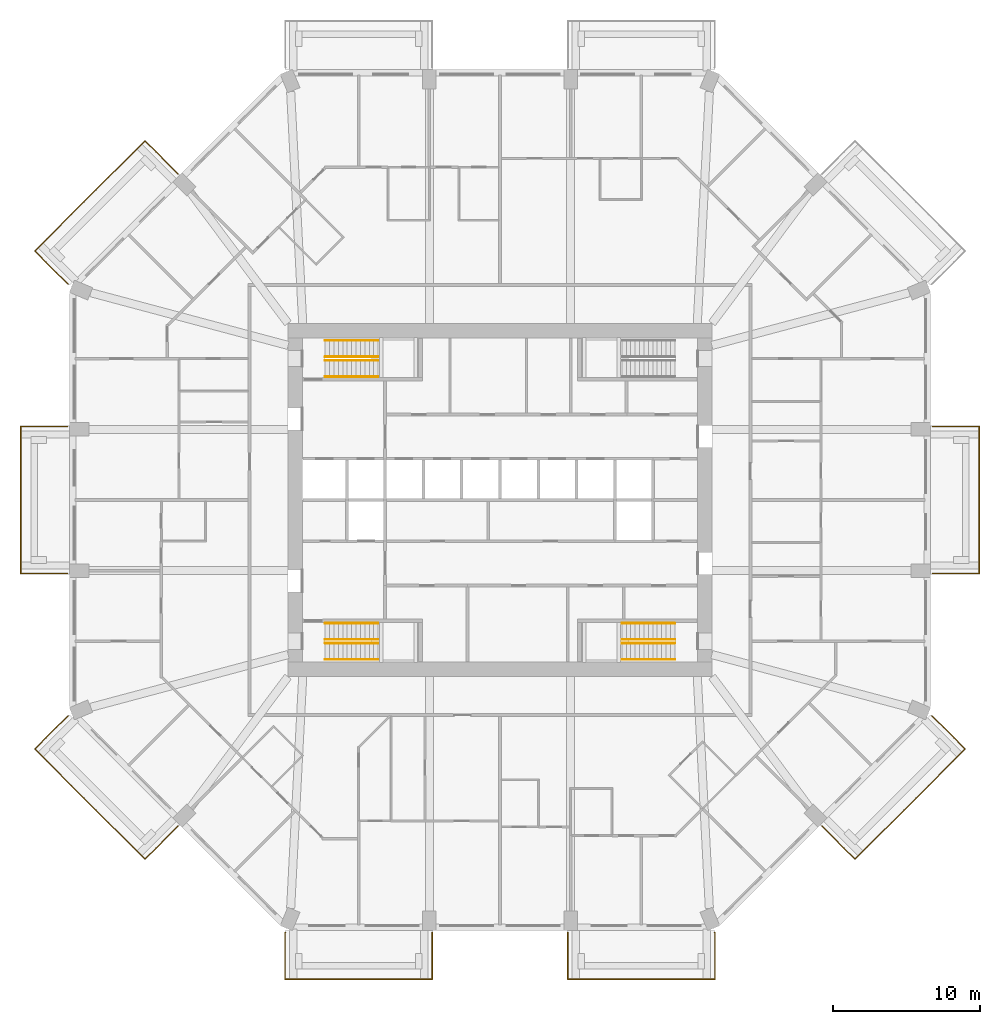
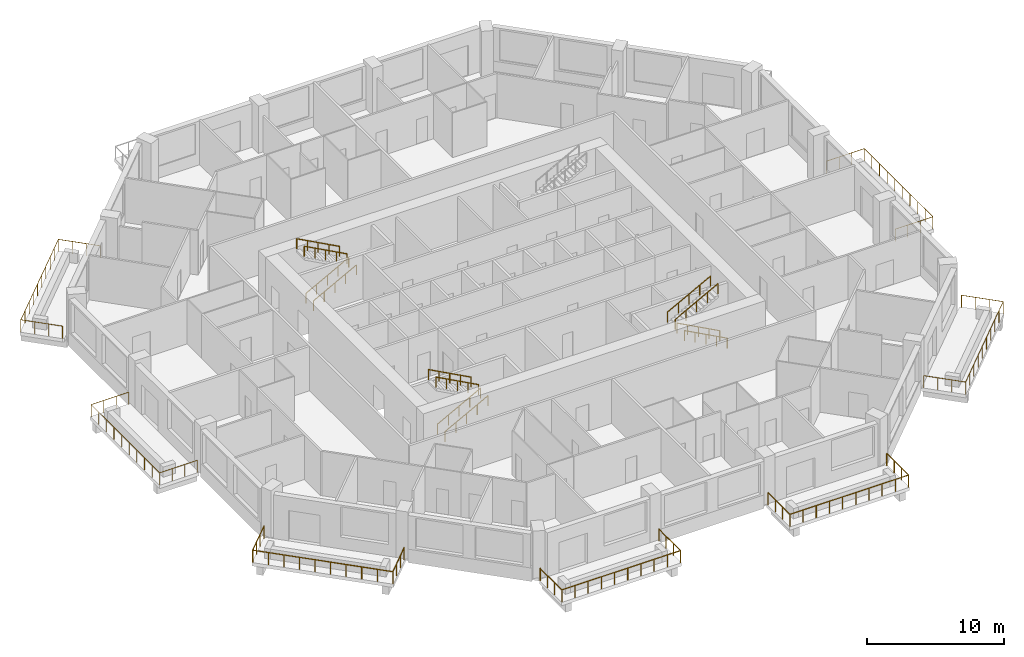
# One storey, part 12 of 13: 19 railings.
"""IFC4 building model written with IfcOpenShell, lengths in metres."""

from ifc_helpers import new_model, si_unit, direction, frame, origin, origin_2d, place, context, subcontext, project, spatial, circle, extrude, material, constituent, constituent_set, type_object, element, save


model = new_model("IFC4")

# Units and contexts
model_context = context("Model", 3, precision=1e-05, world=origin(), true_north=direction((0.0, 1.0)))
body_context = subcontext(model_context, "Body", "Model", "MODEL_VIEW")
ifc_project = project(units=[si_unit("LENGTHUNIT", "METRE"), si_unit("AREAUNIT", "SQUARE_METRE"), si_unit("VOLUMEUNIT", "CUBIC_METRE"), si_unit("PLANEANGLEUNIT", "RADIAN"), si_unit("MASSUNIT", "GRAM", prefix="KILO")], contexts=[model_context])

# Site, building, storey
site_placement = place(None, origin())
site = spatial("IfcSite", under=ifc_project, at=site_placement, CompositionType="ELEMENT")
building_placement = place(site_placement, origin())
building = spatial("IfcBuilding", under=site, at=building_placement, Name="Msitu Wima Residences", CompositionType="ELEMENT")
storey_placement = place(building_placement, frame((0.0, 0.0, 46.5)))
storey = spatial("IfcBuildingStorey", under=building, at=storey_placement, Name="L10", CompositionType="ELEMENT", Elevation=46.5)

# Railings
ifc_material_1 = material(Name="Steel S355", Category="steel")
ifc_constituent_1 = constituent(ifc_material_1, Name="Steel S355")
ifc_material_2 = material(Name="Weathering patina")
ifc_constituent_2 = constituent(ifc_material_2, Name="Weathering patina")
ifc_constituent_set_1 = constituent_set(constituents=[ifc_constituent_1, ifc_constituent_2], Name="Steel S355")
railing_type_1 = type_object("IfcRailingType", Name="Balcony guard GR1100", PredefinedType="GUARDRAIL", material=ifc_constituent_set_1)
railing_1_placement = place(storey_placement, frame((29.3798828125, 5.0, 0.0)))
element("IfcRailing", 1, at=railing_1_placement, inside=storey, type_object=railing_type_1, Name="Balcony guard E1 L10", PredefinedType="GUARDRAIL", context=body_context, shape_type="SweptSolid", body=[
    extrude(circle(Radius=0.02392578125, at=origin_2d()), frame((0.0, 0.0, 1.076171875), z_axis=(1.0, 0.0, 0.0), x_axis=(0.0, 1.0, 0.0)), (0.0, 0.0, 1.0), 3.170166015625),
    extrude(circle(Radius=0.02392578125, at=origin_2d()), frame((3.170166015625, 0.0, 1.076171875), z_axis=(0.0, -1.0, 0.0), x_axis=(1.0, 0.0, 0.0)), (0.0, 0.0, 1.0), 10.0),
    extrude(circle(Radius=0.02392578125, at=origin_2d()), frame((3.170166015625, -10.0, 1.076171875), z_axis=(-1.0, 0.0, 0.0), x_axis=(0.0, -1.0, 0.0)), (0.0, 0.0, 1.0), 3.170166015625),
    extrude(circle(Radius=0.02099609375, at=origin_2d()), origin(), (0.0, 0.0, 1.0), 1.052001953125),
    extrude(circle(Radius=0.02099609375, at=origin_2d()), frame((1.056640625, 0.0, 0.0)), (0.0, 0.0, 1.0), 1.052001953125),
    extrude(circle(Radius=0.02099609375, at=origin_2d()), frame((2.113525390625, 0.0, 0.0)), (0.0, 0.0, 1.0), 1.052001953125),
    extrude(circle(Radius=0.02099609375, at=origin_2d()), frame((3.170166015625, 0.0, 0.0)), (0.0, 0.0, 1.0), 1.052001953125),
    extrude(circle(Radius=0.02099609375, at=origin_2d()), frame((3.170166015625, -1.111083984375, 0.0)), (0.0, 0.0, 1.0), 1.052001953125),
    extrude(circle(Radius=0.02099609375, at=origin_2d()), frame((3.170166015625, -2.22216796875, 0.0)), (0.0, 0.0, 1.0), 1.052001953125),
    extrude(circle(Radius=0.02099609375, at=origin_2d()), frame((3.170166015625, -3.333251953125, 0.0)), (0.0, 0.0, 1.0), 1.052001953125),
    extrude(circle(Radius=0.02099609375, at=origin_2d()), frame((3.170166015625, -4.4443359375, 0.0)), (0.0, 0.0, 1.0), 1.052001953125),
    extrude(circle(Radius=0.02099609375, at=origin_2d()), frame((3.170166015625, -5.5556640625, 0.0)), (0.0, 0.0, 1.0), 1.052001953125),
    extrude(circle(Radius=0.02099609375, at=origin_2d()), frame((3.170166015625, -6.666748046875, 0.0)), (0.0, 0.0, 1.0), 1.052001953125),
    extrude(circle(Radius=0.02099609375, at=origin_2d()), frame((3.170166015625, -7.77783203125, 0.0)), (0.0, 0.0, 1.0), 1.052001953125),
    extrude(circle(Radius=0.02099609375, at=origin_2d()), frame((3.170166015625, -8.888916015625, 0.0)), (0.0, 0.0, 1.0), 1.052001953125),
    extrude(circle(Radius=0.02099609375, at=origin_2d()), frame((3.170166015625, -10.0, 0.0)), (0.0, 0.0, 1.0), 1.052001953125),
    extrude(circle(Radius=0.02099609375, at=origin_2d()), frame((2.113525390625, -10.0, 0.0)), (0.0, 0.0, 1.0), 1.052001953125),
    extrude(circle(Radius=0.02099609375, at=origin_2d()), frame((1.056640625, -10.0, 0.0)), (0.0, 0.0, 1.0), 1.052001953125),
    extrude(circle(Radius=0.02099609375, at=origin_2d()), frame((0.0, -10.0, 0.0)), (0.0, 0.0, 1.0), 1.052001953125),
])
railing_2_placement = place(storey_placement, frame((-29.341796875, 14.678466796875, 0.0)))
element("IfcRailing", 2, at=railing_2_placement, inside=storey, type_object=railing_type_1, Name="Balcony guard NW1 L10", PredefinedType="GUARDRAIL", context=body_context, shape_type="SweptSolid", body=[
    extrude(circle(Radius=0.02392578125, at=origin_2d()), frame((0.0, 0.0, 1.076171875), z_axis=(-0.923276184907, 0.384136806859, 0.0), x_axis=(-0.384136806859, -0.923276184907, 0.0)), (0.0, 0.0, 1.0), 0.0361328125),
    extrude(circle(Radius=0.02392578125, at=origin_2d()), frame((-0.033447265625, 0.013916015625, 1.076171875), z_axis=(-0.707106781187, 0.707106781187, 0.0), x_axis=(-0.707106781187, -0.707106781187, 0.0)), (0.0, 0.0, 1.0), 3.136474609375),
    extrude(circle(Radius=0.02392578125, at=origin_2d()), frame((-2.251220703125, 2.231689453125, 1.076171875), z_axis=(0.70709524572, 0.707118316465, 0.0), x_axis=(-0.707118316465, 0.70709524572, 0.0)), (0.0, 0.0, 1.0), 10.582275390625),
    extrude(circle(Radius=0.02392578125, at=origin_2d()), frame((5.2314453125, 9.714599609375, 1.076171875), z_axis=(0.707145287287, -0.707068272989, 0.0), x_axis=(0.707068272989, 0.707145287287, 0.0)), (0.0, 0.0, 1.0), 3.170166015625),
    extrude(circle(Radius=0.02099609375, at=origin_2d()), origin(), (0.0, 0.0, 1.0), 1.052001953125),
    extrude(circle(Radius=0.02099609375, at=origin_2d()), frame((-0.033447265625, 0.013916015625, 0.0)), (0.0, 0.0, 1.0), 1.052001953125),
    extrude(circle(Radius=0.02099609375, at=origin_2d()), frame((-0.772705078125, 0.753173828125, 0.0)), (0.0, 0.0, 1.0), 1.052001953125),
    extrude(circle(Radius=0.02099609375, at=origin_2d()), frame((-1.511962890625, 1.492431640625, 0.0)), (0.0, 0.0, 1.0), 1.052001953125),
    extrude(circle(Radius=0.02099609375, at=origin_2d()), frame((-2.251220703125, 2.231689453125, 0.0)), (0.0, 0.0, 1.0), 1.052001953125),
    extrude(circle(Radius=0.02099609375, at=origin_2d()), frame((-1.419921875, 3.063232421875, 0.0)), (0.0, 0.0, 1.0), 1.052001953125),
    extrude(circle(Radius=0.02099609375, at=origin_2d()), frame((-0.58837890625, 3.89453125, 0.0)), (0.0, 0.0, 1.0), 1.052001953125),
    extrude(circle(Radius=0.02099609375, at=origin_2d()), frame((0.242919921875, 4.72607421875, 0.0)), (0.0, 0.0, 1.0), 1.052001953125),
    extrude(circle(Radius=0.02099609375, at=origin_2d()), frame((1.074462890625, 5.557373046875, 0.0)), (0.0, 0.0, 1.0), 1.052001953125),
    extrude(circle(Radius=0.02099609375, at=origin_2d()), frame((1.90576171875, 6.388916015625, 0.0)), (0.0, 0.0, 1.0), 1.052001953125),
    extrude(circle(Radius=0.02099609375, at=origin_2d()), frame((2.7373046875, 7.22021484375, 0.0)), (0.0, 0.0, 1.0), 1.052001953125),
    extrude(circle(Radius=0.02099609375, at=origin_2d()), frame((3.568603515625, 8.0517578125, 0.0)), (0.0, 0.0, 1.0), 1.052001953125),
    extrude(circle(Radius=0.02099609375, at=origin_2d()), frame((4.400146484375, 8.883056640625, 0.0)), (0.0, 0.0, 1.0), 1.052001953125),
    extrude(circle(Radius=0.02099609375, at=origin_2d()), frame((5.2314453125, 9.714599609375, 0.0)), (0.0, 0.0, 1.0), 1.052001953125),
    extrude(circle(Radius=0.02099609375, at=origin_2d()), frame((5.978759765625, 8.967529296875, 0.0)), (0.0, 0.0, 1.0), 1.052001953125),
    extrude(circle(Radius=0.02099609375, at=origin_2d()), frame((6.725830078125, 8.22021484375, 0.0)), (0.0, 0.0, 1.0), 1.052001953125),
    extrude(circle(Radius=0.02099609375, at=origin_2d()), frame((7.47314453125, 7.47314453125, 0.0)), (0.0, 0.0, 1.0), 1.052001953125),
])
railing_3_placement = place(storey_placement, frame((-29.3798828125, -5.0, 0.0)))
element("IfcRailing", 3, at=railing_3_placement, inside=storey, type_object=railing_type_1, Name="Balcony guard W1 L10", PredefinedType="GUARDRAIL", context=body_context, shape_type="SweptSolid", body=[
    extrude(circle(Radius=0.02392578125, at=origin_2d()), frame((0.0, 0.0, 1.076171875), z_axis=(-1.0, 0.0, 0.0), x_axis=(0.0, -1.0, 0.0)), (0.0, 0.0, 1.0), 3.170166015625),
    extrude(circle(Radius=0.02392578125, at=origin_2d()), frame((-3.170166015625, 0.0, 1.076171875), z_axis=(0.0, 1.0, 0.0), x_axis=(-1.0, 0.0, 0.0)), (0.0, 0.0, 1.0), 10.0),
    extrude(circle(Radius=0.02392578125, at=origin_2d()), frame((-3.170166015625, 10.0, 1.076171875), z_axis=(1.0, 0.0, 0.0), x_axis=(0.0, 1.0, 0.0)), (0.0, 0.0, 1.0), 3.170166015625),
    extrude(circle(Radius=0.02099609375, at=origin_2d()), origin(), (0.0, 0.0, 1.0), 1.052001953125),
    extrude(circle(Radius=0.02099609375, at=origin_2d()), frame((-1.056640625, 0.0, 0.0)), (0.0, 0.0, 1.0), 1.052001953125),
    extrude(circle(Radius=0.02099609375, at=origin_2d()), frame((-2.113525390625, 0.0, 0.0)), (0.0, 0.0, 1.0), 1.052001953125),
    extrude(circle(Radius=0.02099609375, at=origin_2d()), frame((-3.170166015625, 0.0, 0.0)), (0.0, 0.0, 1.0), 1.052001953125),
    extrude(circle(Radius=0.02099609375, at=origin_2d()), frame((-3.170166015625, 1.111083984375, 0.0)), (0.0, 0.0, 1.0), 1.052001953125),
    extrude(circle(Radius=0.02099609375, at=origin_2d()), frame((-3.170166015625, 2.22216796875, 0.0)), (0.0, 0.0, 1.0), 1.052001953125),
    extrude(circle(Radius=0.02099609375, at=origin_2d()), frame((-3.170166015625, 3.333251953125, 0.0)), (0.0, 0.0, 1.0), 1.052001953125),
    extrude(circle(Radius=0.02099609375, at=origin_2d()), frame((-3.170166015625, 4.4443359375, 0.0)), (0.0, 0.0, 1.0), 1.052001953125),
    extrude(circle(Radius=0.02099609375, at=origin_2d()), frame((-3.170166015625, 5.5556640625, 0.0)), (0.0, 0.0, 1.0), 1.052001953125),
    extrude(circle(Radius=0.02099609375, at=origin_2d()), frame((-3.170166015625, 6.666748046875, 0.0)), (0.0, 0.0, 1.0), 1.052001953125),
    extrude(circle(Radius=0.02099609375, at=origin_2d()), frame((-3.170166015625, 7.77783203125, 0.0)), (0.0, 0.0, 1.0), 1.052001953125),
    extrude(circle(Radius=0.02099609375, at=origin_2d()), frame((-3.170166015625, 8.888916015625, 0.0)), (0.0, 0.0, 1.0), 1.052001953125),
    extrude(circle(Radius=0.02099609375, at=origin_2d()), frame((-3.170166015625, 10.0, 0.0)), (0.0, 0.0, 1.0), 1.052001953125),
    extrude(circle(Radius=0.02099609375, at=origin_2d()), frame((-2.113525390625, 10.0, 0.0)), (0.0, 0.0, 1.0), 1.052001953125),
    extrude(circle(Radius=0.02099609375, at=origin_2d()), frame((-1.056640625, 10.0, 0.0)), (0.0, 0.0, 1.0), 1.052001953125),
    extrude(circle(Radius=0.02099609375, at=origin_2d()), frame((0.0, 10.0, 0.0)), (0.0, 0.0, 1.0), 1.052001953125),
])
railing_4_placement = place(storey_placement, frame((-21.86865234375, -22.151611328125, 0.0)))
element("IfcRailing", 4, at=railing_4_placement, inside=storey, type_object=railing_type_1, Name="Balcony guard SW0 L10", PredefinedType="GUARDRAIL", context=body_context, shape_type="SweptSolid", body=[
    extrude(circle(Radius=0.02392578125, at=origin_2d()), frame((0.0, 0.0, 1.076171875), z_axis=(-0.707145287287, -0.707068272989, 0.0), x_axis=(0.707068272989, -0.707145287287, 0.0)), (0.0, 0.0, 1.0), 3.170166015625),
    extrude(circle(Radius=0.02392578125, at=origin_2d()), frame((-2.24169921875, -2.241455078125, 1.076171875), z_axis=(-0.70709524572, 0.707118316465, 0.0), x_axis=(-0.707118316465, -0.70709524572, 0.0)), (0.0, 0.0, 1.0), 10.582275390625),
    extrude(circle(Radius=0.02392578125, at=origin_2d()), frame((-9.724365234375, 5.241455078125, 1.076171875), z_axis=(0.707106781187, 0.707106781187, 0.0), x_axis=(-0.707106781187, 0.707106781187, 0.0)), (0.0, 0.0, 1.0), 3.136474609375),
    extrude(circle(Radius=0.02392578125, at=origin_2d()), frame((-7.506591796875, 7.459228515625, 1.076171875), z_axis=(0.923276184907, 0.384136806859, 0.0), x_axis=(-0.384136806859, 0.923276184907, 0.0)), (0.0, 0.0, 1.0), 0.0361328125),
    extrude(circle(Radius=0.02099609375, at=origin_2d()), origin(), (0.0, 0.0, 1.0), 1.052001953125),
    extrude(circle(Radius=0.02099609375, at=origin_2d()), frame((-0.747314453125, -0.7470703125, 0.0)), (0.0, 0.0, 1.0), 1.052001953125),
    extrude(circle(Radius=0.02099609375, at=origin_2d()), frame((-1.494384765625, -1.494384765625, 0.0)), (0.0, 0.0, 1.0), 1.052001953125),
    extrude(circle(Radius=0.02099609375, at=origin_2d()), frame((-2.24169921875, -2.241455078125, 0.0)), (0.0, 0.0, 1.0), 1.052001953125),
    extrude(circle(Radius=0.02099609375, at=origin_2d()), frame((-3.072998046875, -1.409912109375, 0.0)), (0.0, 0.0, 1.0), 1.052001953125),
    extrude(circle(Radius=0.02099609375, at=origin_2d()), frame((-3.904541015625, -0.57861328125, 0.0)), (0.0, 0.0, 1.0), 1.052001953125),
    extrude(circle(Radius=0.02099609375, at=origin_2d()), frame((-4.73583984375, 0.2529296875, 0.0)), (0.0, 0.0, 1.0), 1.052001953125),
    extrude(circle(Radius=0.02099609375, at=origin_2d()), frame((-5.5673828125, 1.084228515625, 0.0)), (0.0, 0.0, 1.0), 1.052001953125),
    extrude(circle(Radius=0.02099609375, at=origin_2d()), frame((-6.398681640625, 1.915771484375, 0.0)), (0.0, 0.0, 1.0), 1.052001953125),
    extrude(circle(Radius=0.02099609375, at=origin_2d()), frame((-7.230224609375, 2.7470703125, 0.0)), (0.0, 0.0, 1.0), 1.052001953125),
    extrude(circle(Radius=0.02099609375, at=origin_2d()), frame((-8.0615234375, 3.57861328125, 0.0)), (0.0, 0.0, 1.0), 1.052001953125),
    extrude(circle(Radius=0.02099609375, at=origin_2d()), frame((-8.89306640625, 4.409912109375, 0.0)), (0.0, 0.0, 1.0), 1.052001953125),
    extrude(circle(Radius=0.02099609375, at=origin_2d()), frame((-9.724365234375, 5.241455078125, 0.0)), (0.0, 0.0, 1.0), 1.052001953125),
    extrude(circle(Radius=0.02099609375, at=origin_2d()), frame((-8.985107421875, 5.980712890625, 0.0)), (0.0, 0.0, 1.0), 1.052001953125),
    extrude(circle(Radius=0.02099609375, at=origin_2d()), frame((-8.245849609375, 6.719970703125, 0.0)), (0.0, 0.0, 1.0), 1.052001953125),
    extrude(circle(Radius=0.02099609375, at=origin_2d()), frame((-7.506591796875, 7.459228515625, 0.0)), (0.0, 0.0, 1.0), 1.052001953125),
    extrude(circle(Radius=0.02099609375, at=origin_2d()), frame((-7.47314453125, 7.47314453125, 0.0)), (0.0, 0.0, 1.0), 1.052001953125),
])
railing_5_placement = place(storey_placement, frame((-4.60009765625, -29.3798828125, 0.0)))
element("IfcRailing", 5, at=railing_5_placement, inside=storey, type_object=railing_type_1, Name="Balcony guard S0 L10", PredefinedType="GUARDRAIL", context=body_context, shape_type="SweptSolid", body=[
    extrude(circle(Radius=0.02392578125, at=origin_2d()), frame((0.0, 0.0, 1.076171875), z_axis=(0.0, -1.0, 0.0), x_axis=(1.0, 0.0, 0.0)), (0.0, 0.0, 1.0), 3.170166015625),
    extrude(circle(Radius=0.02392578125, at=origin_2d()), frame((0.0, -3.170166015625, 1.076171875), z_axis=(-1.0, 0.0, 0.0), x_axis=(0.0, -1.0, 0.0)), (0.0, 0.0, 1.0), 10.0),
    extrude(circle(Radius=0.02392578125, at=origin_2d()), frame((-10.0, -3.170166015625, 1.076171875), z_axis=(0.0, 1.0, 0.0), x_axis=(-1.0, 0.0, 0.0)), (0.0, 0.0, 1.0), 3.136474609375),
    extrude(circle(Radius=0.02392578125, at=origin_2d()), frame((-10.0, -0.03369140625, 1.076171875), z_axis=(0.38176015442, 0.92426142649, 0.0), x_axis=(-0.92426142649, 0.38176015442, 0.0)), (0.0, 0.0, 1.0), 0.036376953125),
    extrude(circle(Radius=0.02099609375, at=origin_2d()), origin(), (0.0, 0.0, 1.0), 1.052001953125),
    extrude(circle(Radius=0.02099609375, at=origin_2d()), frame((0.0, -1.056640625, 0.0)), (0.0, 0.0, 1.0), 1.052001953125),
    extrude(circle(Radius=0.02099609375, at=origin_2d()), frame((0.0, -2.113525390625, 0.0)), (0.0, 0.0, 1.0), 1.052001953125),
    extrude(circle(Radius=0.02099609375, at=origin_2d()), frame((0.0, -3.170166015625, 0.0)), (0.0, 0.0, 1.0), 1.052001953125),
    extrude(circle(Radius=0.02099609375, at=origin_2d()), frame((-1.111083984375, -3.170166015625, 0.0)), (0.0, 0.0, 1.0), 1.052001953125),
    extrude(circle(Radius=0.02099609375, at=origin_2d()), frame((-2.22216796875, -3.170166015625, 0.0)), (0.0, 0.0, 1.0), 1.052001953125),
    extrude(circle(Radius=0.02099609375, at=origin_2d()), frame((-3.333251953125, -3.170166015625, 0.0)), (0.0, 0.0, 1.0), 1.052001953125),
    extrude(circle(Radius=0.02099609375, at=origin_2d()), frame((-4.4443359375, -3.170166015625, 0.0)), (0.0, 0.0, 1.0), 1.052001953125),
    extrude(circle(Radius=0.02099609375, at=origin_2d()), frame((-5.5556640625, -3.170166015625, 0.0)), (0.0, 0.0, 1.0), 1.052001953125),
    extrude(circle(Radius=0.02099609375, at=origin_2d()), frame((-6.666748046875, -3.170166015625, 0.0)), (0.0, 0.0, 1.0), 1.052001953125),
    extrude(circle(Radius=0.02099609375, at=origin_2d()), frame((-7.77783203125, -3.170166015625, 0.0)), (0.0, 0.0, 1.0), 1.052001953125),
    extrude(circle(Radius=0.02099609375, at=origin_2d()), frame((-8.888916015625, -3.170166015625, 0.0)), (0.0, 0.0, 1.0), 1.052001953125),
    extrude(circle(Radius=0.02099609375, at=origin_2d()), frame((-10.0, -3.170166015625, 0.0)), (0.0, 0.0, 1.0), 1.052001953125),
    extrude(circle(Radius=0.02099609375, at=origin_2d()), frame((-10.0, -2.124755859375, 0.0)), (0.0, 0.0, 1.0), 1.052001953125),
    extrude(circle(Radius=0.02099609375, at=origin_2d()), frame((-10.0, -1.0791015625, 0.0)), (0.0, 0.0, 1.0), 1.052001953125),
    extrude(circle(Radius=0.02099609375, at=origin_2d()), frame((-10.0, -0.03369140625, 0.0)), (0.0, 0.0, 1.0), 1.052001953125),
    extrude(circle(Radius=0.02099609375, at=origin_2d()), frame((-9.986083984375, 0.0, 0.0)), (0.0, 0.0, 1.0), 1.052001953125),
])
railing_6_placement = place(storey_placement, frame((14.586181640625, -29.3798828125, 0.0)))
element("IfcRailing", 6, at=railing_6_placement, inside=storey, type_object=railing_type_1, Name="Balcony guard S2 L10", PredefinedType="GUARDRAIL", context=body_context, shape_type="SweptSolid", body=[
    extrude(circle(Radius=0.02392578125, at=origin_2d()), frame((0.0, 0.0, 1.076171875), z_axis=(0.38176015442, -0.92426142649, 0.0), x_axis=(0.92426142649, 0.38176015442, 0.0)), (0.0, 0.0, 1.0), 0.036376953125),
    extrude(circle(Radius=0.02392578125, at=origin_2d()), frame((0.013916015625, -0.03369140625, 1.076171875), z_axis=(0.0, -1.0, 0.0), x_axis=(1.0, 0.0, 0.0)), (0.0, 0.0, 1.0), 3.136474609375),
    extrude(circle(Radius=0.02392578125, at=origin_2d()), frame((0.013916015625, -3.170166015625, 1.076171875), z_axis=(-1.0, 0.0, 0.0), x_axis=(0.0, -1.0, 0.0)), (0.0, 0.0, 1.0), 10.0),
    extrude(circle(Radius=0.02392578125, at=origin_2d()), frame((-9.986083984375, -3.170166015625, 1.076171875), z_axis=(0.0, 1.0, 0.0), x_axis=(-1.0, 0.0, 0.0)), (0.0, 0.0, 1.0), 3.170166015625),
    extrude(circle(Radius=0.02099609375, at=origin_2d()), origin(), (0.0, 0.0, 1.0), 1.052001953125),
    extrude(circle(Radius=0.02099609375, at=origin_2d()), frame((0.013916015625, -0.03369140625, 0.0)), (0.0, 0.0, 1.0), 1.052001953125),
    extrude(circle(Radius=0.02099609375, at=origin_2d()), frame((0.013916015625, -1.0791015625, 0.0)), (0.0, 0.0, 1.0), 1.052001953125),
    extrude(circle(Radius=0.02099609375, at=origin_2d()), frame((0.013916015625, -2.124755859375, 0.0)), (0.0, 0.0, 1.0), 1.052001953125),
    extrude(circle(Radius=0.02099609375, at=origin_2d()), frame((0.013916015625, -3.170166015625, 0.0)), (0.0, 0.0, 1.0), 1.052001953125),
    extrude(circle(Radius=0.02099609375, at=origin_2d()), frame((-1.09716796875, -3.170166015625, 0.0)), (0.0, 0.0, 1.0), 1.052001953125),
    extrude(circle(Radius=0.02099609375, at=origin_2d()), frame((-2.208251953125, -3.170166015625, 0.0)), (0.0, 0.0, 1.0), 1.052001953125),
    extrude(circle(Radius=0.02099609375, at=origin_2d()), frame((-3.3193359375, -3.170166015625, 0.0)), (0.0, 0.0, 1.0), 1.052001953125),
    extrude(circle(Radius=0.02099609375, at=origin_2d()), frame((-4.430419921875, -3.170166015625, 0.0)), (0.0, 0.0, 1.0), 1.052001953125),
    extrude(circle(Radius=0.02099609375, at=origin_2d()), frame((-5.541748046875, -3.170166015625, 0.0)), (0.0, 0.0, 1.0), 1.052001953125),
    extrude(circle(Radius=0.02099609375, at=origin_2d()), frame((-6.65283203125, -3.170166015625, 0.0)), (0.0, 0.0, 1.0), 1.052001953125),
    extrude(circle(Radius=0.02099609375, at=origin_2d()), frame((-7.763916015625, -3.170166015625, 0.0)), (0.0, 0.0, 1.0), 1.052001953125),
    extrude(circle(Radius=0.02099609375, at=origin_2d()), frame((-8.875, -3.170166015625, 0.0)), (0.0, 0.0, 1.0), 1.052001953125),
    extrude(circle(Radius=0.02099609375, at=origin_2d()), frame((-9.986083984375, -3.170166015625, 0.0)), (0.0, 0.0, 1.0), 1.052001953125),
    extrude(circle(Radius=0.02099609375, at=origin_2d()), frame((-9.986083984375, -2.113525390625, 0.0)), (0.0, 0.0, 1.0), 1.052001953125),
    extrude(circle(Radius=0.02099609375, at=origin_2d()), frame((-9.986083984375, -1.056640625, 0.0)), (0.0, 0.0, 1.0), 1.052001953125),
    extrude(circle(Radius=0.02099609375, at=origin_2d()), frame((-9.986083984375, 0.0, 0.0)), (0.0, 0.0, 1.0), 1.052001953125),
])
railing_7_placement = place(storey_placement, frame((29.341796875, -14.678466796875, 0.0)))
element("IfcRailing", 7, at=railing_7_placement, inside=storey, type_object=railing_type_1, Name="Balcony guard SE1 L10", PredefinedType="GUARDRAIL", context=body_context, shape_type="SweptSolid", body=[
    extrude(circle(Radius=0.02392578125, at=origin_2d()), frame((0.0, 0.0, 1.076171875), z_axis=(0.923276184907, -0.384136806859, 0.0), x_axis=(0.384136806859, 0.923276184907, 0.0)), (0.0, 0.0, 1.0), 0.0361328125),
    extrude(circle(Radius=0.02392578125, at=origin_2d()), frame((0.033447265625, -0.013916015625, 1.076171875), z_axis=(0.707106781187, -0.707106781187, 0.0), x_axis=(0.707106781187, 0.707106781187, 0.0)), (0.0, 0.0, 1.0), 3.136474609375),
    extrude(circle(Radius=0.02392578125, at=origin_2d()), frame((2.251220703125, -2.231689453125, 1.076171875), z_axis=(-0.70709524572, -0.707118316465, 0.0), x_axis=(0.707118316465, -0.70709524572, 0.0)), (0.0, 0.0, 1.0), 10.582275390625),
    extrude(circle(Radius=0.02392578125, at=origin_2d()), frame((-5.2314453125, -9.714599609375, 1.076171875), z_axis=(-0.707145287287, 0.707068272989, 0.0), x_axis=(-0.707068272989, -0.707145287287, 0.0)), (0.0, 0.0, 1.0), 3.170166015625),
    extrude(circle(Radius=0.02099609375, at=origin_2d()), origin(), (0.0, 0.0, 1.0), 1.052001953125),
    extrude(circle(Radius=0.02099609375, at=origin_2d()), frame((0.033447265625, -0.013916015625, 0.0)), (0.0, 0.0, 1.0), 1.052001953125),
    extrude(circle(Radius=0.02099609375, at=origin_2d()), frame((0.772705078125, -0.753173828125, 0.0)), (0.0, 0.0, 1.0), 1.052001953125),
    extrude(circle(Radius=0.02099609375, at=origin_2d()), frame((1.511962890625, -1.492431640625, 0.0)), (0.0, 0.0, 1.0), 1.052001953125),
    extrude(circle(Radius=0.02099609375, at=origin_2d()), frame((2.251220703125, -2.231689453125, 0.0)), (0.0, 0.0, 1.0), 1.052001953125),
    extrude(circle(Radius=0.02099609375, at=origin_2d()), frame((1.419921875, -3.063232421875, 0.0)), (0.0, 0.0, 1.0), 1.052001953125),
    extrude(circle(Radius=0.02099609375, at=origin_2d()), frame((0.58837890625, -3.89453125, 0.0)), (0.0, 0.0, 1.0), 1.052001953125),
    extrude(circle(Radius=0.02099609375, at=origin_2d()), frame((-0.242919921875, -4.72607421875, 0.0)), (0.0, 0.0, 1.0), 1.052001953125),
    extrude(circle(Radius=0.02099609375, at=origin_2d()), frame((-1.074462890625, -5.557373046875, 0.0)), (0.0, 0.0, 1.0), 1.052001953125),
    extrude(circle(Radius=0.02099609375, at=origin_2d()), frame((-1.90576171875, -6.388916015625, 0.0)), (0.0, 0.0, 1.0), 1.052001953125),
    extrude(circle(Radius=0.02099609375, at=origin_2d()), frame((-2.7373046875, -7.22021484375, 0.0)), (0.0, 0.0, 1.0), 1.052001953125),
    extrude(circle(Radius=0.02099609375, at=origin_2d()), frame((-3.568603515625, -8.0517578125, 0.0)), (0.0, 0.0, 1.0), 1.052001953125),
    extrude(circle(Radius=0.02099609375, at=origin_2d()), frame((-4.400146484375, -8.883056640625, 0.0)), (0.0, 0.0, 1.0), 1.052001953125),
    extrude(circle(Radius=0.02099609375, at=origin_2d()), frame((-5.2314453125, -9.714599609375, 0.0)), (0.0, 0.0, 1.0), 1.052001953125),
    extrude(circle(Radius=0.02099609375, at=origin_2d()), frame((-5.978759765625, -8.967529296875, 0.0)), (0.0, 0.0, 1.0), 1.052001953125),
    extrude(circle(Radius=0.02099609375, at=origin_2d()), frame((-6.725830078125, -8.22021484375, 0.0)), (0.0, 0.0, 1.0), 1.052001953125),
    extrude(circle(Radius=0.02099609375, at=origin_2d()), frame((-7.47314453125, -7.47314453125, 0.0)), (0.0, 0.0, 1.0), 1.052001953125),
])
ifc_constituent_3 = constituent(ifc_material_1, Name="Steel S355")
ifc_material_3 = material(Name="Black powder coating")
ifc_constituent_4 = constituent(ifc_material_3, Name="Black powder coating")
ifc_constituent_set_2 = constituent_set(constituents=[ifc_constituent_3, ifc_constituent_4], Name="Steel S355")
railing_type_2 = type_object("IfcRailingType", Name="Stair handrail HR1", PredefinedType="HANDRAIL", material=ifc_constituent_set_2)
for number, where, name in (
    (8, (-11.875, 8.375, 0.16162109375), "Stair 1 handrail"),
    (9, (-11.875, 9.47509765625, 0.16162109375), "Stair 1 handrail"),
):
    element("IfcRailing", number, at=place(storey_placement, frame(where)), inside=storey, type_object=railing_type_2, Name=name, PredefinedType="HANDRAIL", context=body_context, shape_type="SweptSolid", body=[
        extrude(circle(Radius=0.02392578125, at=origin_2d()), frame((0.0, 0.0, 0.8759765625), z_axis=(0.880474934443, 0.0, 0.474092701714), x_axis=(0.0, 1.0, 0.0)), (0.0, 0.0, 1.0), 4.0888671875),
        extrude(circle(Radius=0.02099609375, at=origin_2d()), origin(), (0.0, 0.0, 1.0), 0.851806640625),
        extrude(circle(Radius=0.02099609375, at=origin_2d()), frame((0.89990234375, 0.0, 0.484619140625)), (0.0, 0.0, 1.0), 0.851806640625),
        extrude(circle(Radius=0.02099609375, at=origin_2d()), frame((1.800048828125, 0.0, 0.96923828125)), (0.0, 0.0, 1.0), 0.851806640625),
        extrude(circle(Radius=0.02099609375, at=origin_2d()), frame((2.7001953125, 0.0, 1.453857421875)), (0.0, 0.0, 1.0), 0.851806640625),
        extrude(circle(Radius=0.02099609375, at=origin_2d()), frame((3.60009765625, 0.0, 1.9384765625)), (0.0, 0.0, 1.0), 0.851806640625),
    ])
for number, where, name in (
    (10, (-8.27490234375, 9.72509765625, 2.261474609375), "Stair 1 handrail"),
    (11, (-8.27490234375, 10.824951171875, 2.261474609375), "Stair 1 handrail"),
):
    element("IfcRailing", number, at=place(storey_placement, frame(where)), inside=storey, type_object=railing_type_2, Name=name, PredefinedType="HANDRAIL", context=body_context, shape_type="SweptSolid", body=[
        extrude(circle(Radius=0.02392578125, at=origin_2d()), frame((0.0, 0.0, 0.8759765625), z_axis=(-0.880474934443, 0.0, 0.474092701714), x_axis=(0.0, -1.0, 0.0)), (0.0, 0.0, 1.0), 4.0888671875),
        extrude(circle(Radius=0.02099609375, at=origin_2d()), origin(), (0.0, 0.0, 1.0), 0.851806640625),
        extrude(circle(Radius=0.02099609375, at=origin_2d()), frame((-0.89990234375, 0.0, 0.484619140625)), (0.0, 0.0, 1.0), 0.851806640625),
        extrude(circle(Radius=0.02099609375, at=origin_2d()), frame((-1.800048828125, 0.0, 0.96923828125)), (0.0, 0.0, 1.0), 0.851806640625),
        extrude(circle(Radius=0.02099609375, at=origin_2d()), frame((-2.7001953125, 0.0, 1.453857421875)), (0.0, 0.0, 1.0), 0.851806640625),
        extrude(circle(Radius=0.02099609375, at=origin_2d()), frame((-3.60009765625, 0.0, 1.9384765625)), (0.0, 0.0, 1.0), 0.851806640625),
    ])
for number, where, name in (
    (12, (-11.875, -10.824951171875, 0.16162109375), "Stair 2 handrail"),
    (13, (-11.875, -9.72509765625, 0.16162109375), "Stair 2 handrail"),
):
    element("IfcRailing", number, at=place(storey_placement, frame(where)), inside=storey, type_object=railing_type_2, Name=name, PredefinedType="HANDRAIL", context=body_context, shape_type="SweptSolid", body=[
        extrude(circle(Radius=0.02392578125, at=origin_2d()), frame((0.0, 0.0, 0.8759765625), z_axis=(0.880474934443, 0.0, 0.474092701714), x_axis=(0.0, 1.0, 0.0)), (0.0, 0.0, 1.0), 4.0888671875),
        extrude(circle(Radius=0.02099609375, at=origin_2d()), origin(), (0.0, 0.0, 1.0), 0.851806640625),
        extrude(circle(Radius=0.02099609375, at=origin_2d()), frame((0.89990234375, 0.0, 0.484619140625)), (0.0, 0.0, 1.0), 0.851806640625),
        extrude(circle(Radius=0.02099609375, at=origin_2d()), frame((1.800048828125, 0.0, 0.96923828125)), (0.0, 0.0, 1.0), 0.851806640625),
        extrude(circle(Radius=0.02099609375, at=origin_2d()), frame((2.7001953125, 0.0, 1.453857421875)), (0.0, 0.0, 1.0), 0.851806640625),
        extrude(circle(Radius=0.02099609375, at=origin_2d()), frame((3.60009765625, 0.0, 1.9384765625)), (0.0, 0.0, 1.0), 0.851806640625),
    ])
for number, where, name in (
    (14, (-8.27490234375, -9.47509765625, 2.261474609375), "Stair 2 handrail"),
    (15, (-8.27490234375, -8.375, 2.261474609375), "Stair 2 handrail"),
    (16, (11.875, -10.824951171875, 0.16162109375), "Stair 4 handrail"),
    (17, (11.875, -9.72509765625, 0.16162109375), "Stair 4 handrail"),
):
    element("IfcRailing", number, at=place(storey_placement, frame(where)), inside=storey, type_object=railing_type_2, Name=name, PredefinedType="HANDRAIL", context=body_context, shape_type="SweptSolid", body=[
        extrude(circle(Radius=0.02392578125, at=origin_2d()), frame((0.0, 0.0, 0.8759765625), z_axis=(-0.880474934443, 0.0, 0.474092701714), x_axis=(0.0, -1.0, 0.0)), (0.0, 0.0, 1.0), 4.0888671875),
        extrude(circle(Radius=0.02099609375, at=origin_2d()), origin(), (0.0, 0.0, 1.0), 0.851806640625),
        extrude(circle(Radius=0.02099609375, at=origin_2d()), frame((-0.89990234375, 0.0, 0.484619140625)), (0.0, 0.0, 1.0), 0.851806640625),
        extrude(circle(Radius=0.02099609375, at=origin_2d()), frame((-1.800048828125, 0.0, 0.96923828125)), (0.0, 0.0, 1.0), 0.851806640625),
        extrude(circle(Radius=0.02099609375, at=origin_2d()), frame((-2.7001953125, 0.0, 1.453857421875)), (0.0, 0.0, 1.0), 0.851806640625),
        extrude(circle(Radius=0.02099609375, at=origin_2d()), frame((-3.60009765625, 0.0, 1.9384765625)), (0.0, 0.0, 1.0), 0.851806640625),
    ])
for number, where, name in (
    (18, (8.27490234375, -9.47509765625, 2.261474609375), "Stair 4 handrail"),
    (19, (8.27490234375, -8.375, 2.261474609375), "Stair 4 handrail"),
):
    element("IfcRailing", number, at=place(storey_placement, frame(where)), inside=storey, type_object=railing_type_2, Name=name, PredefinedType="HANDRAIL", context=body_context, shape_type="SweptSolid", body=[
        extrude(circle(Radius=0.02392578125, at=origin_2d()), frame((0.0, 0.0, 0.8759765625), z_axis=(0.880474934443, 0.0, 0.474092701714), x_axis=(0.0, 1.0, 0.0)), (0.0, 0.0, 1.0), 4.0888671875),
        extrude(circle(Radius=0.02099609375, at=origin_2d()), origin(), (0.0, 0.0, 1.0), 0.851806640625),
        extrude(circle(Radius=0.02099609375, at=origin_2d()), frame((0.89990234375, 0.0, 0.484619140625)), (0.0, 0.0, 1.0), 0.851806640625),
        extrude(circle(Radius=0.02099609375, at=origin_2d()), frame((1.800048828125, 0.0, 0.96923828125)), (0.0, 0.0, 1.0), 0.851806640625),
        extrude(circle(Radius=0.02099609375, at=origin_2d()), frame((2.7001953125, 0.0, 1.453857421875)), (0.0, 0.0, 1.0), 0.851806640625),
        extrude(circle(Radius=0.02099609375, at=origin_2d()), frame((3.60009765625, 0.0, 1.9384765625)), (0.0, 0.0, 1.0), 0.851806640625),
    ])

save(model, "model.ifc")
